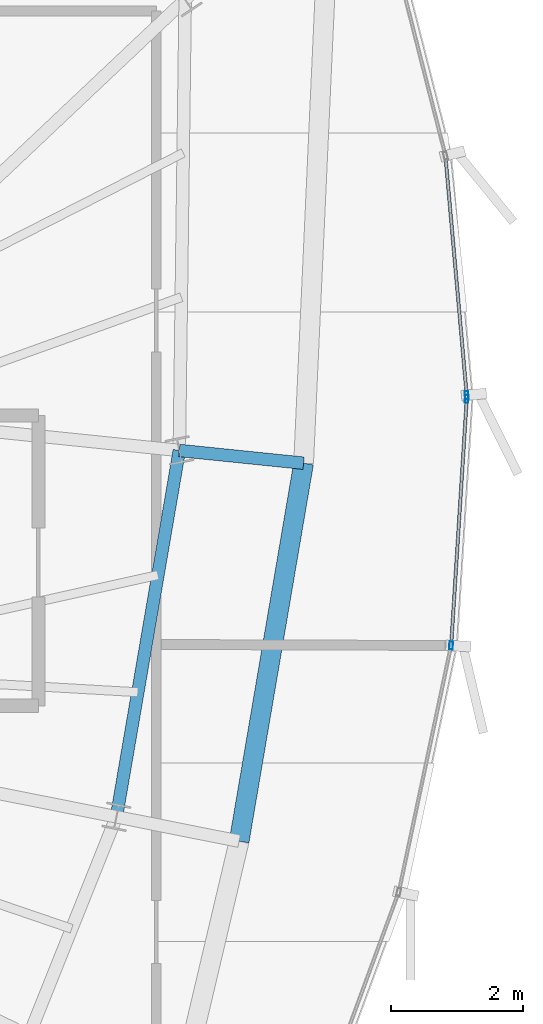
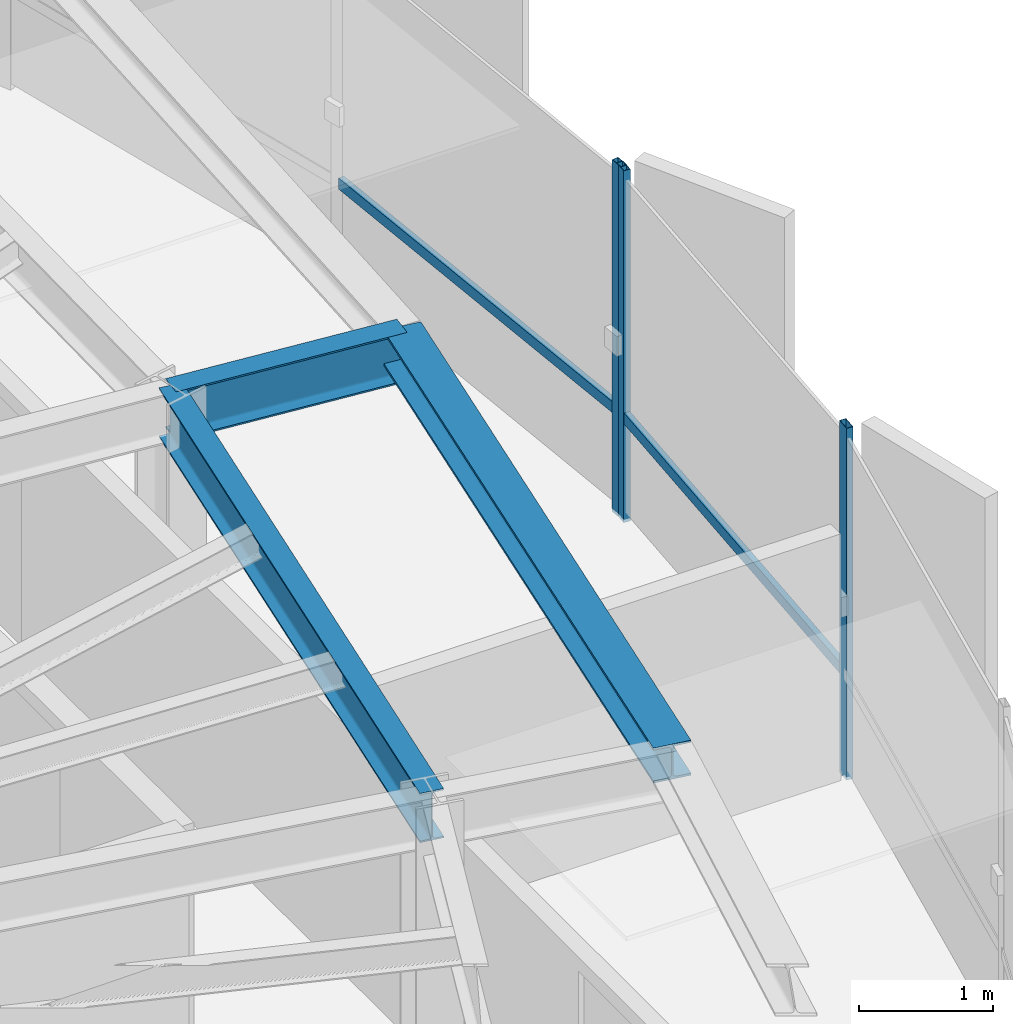
# One storey, part 14 of 30: 5 members, 3 beams, 2 elements without a shape of their own.
"""IFC4 building model written with IfcOpenShell, lengths in metres."""

from ifc_helpers import new_model, si_unit, direction, frame, origin, origin_2d, place, context, subcontext, project, spatial, hollow_rectangle, i_section, extrude, source, transform, mapped, material, layer, layer_set, material_profile, profile_set, type_object, element, aggregate, save


model = new_model("IFC4")

# Units and contexts
model_context = context("Model", 3, precision=1e-05, world=origin(), true_north=direction((0.0, 1.0)))
body_context = subcontext(model_context, "Body", "Model", "MODEL_VIEW")
ifc_project = project(units=[si_unit("LENGTHUNIT", "METRE"), si_unit("AREAUNIT", "SQUARE_METRE"), si_unit("VOLUMEUNIT", "CUBIC_METRE"), si_unit("PLANEANGLEUNIT", "RADIAN"), si_unit("MASSUNIT", "GRAM", prefix="KILO"), si_unit("THERMODYNAMICTEMPERATUREUNIT", "KELVIN")], contexts=[model_context])

# Site, building, storey
site_placement = place(None, origin())
site = spatial("IfcSite", under=ifc_project, at=site_placement, CompositionType="ELEMENT")
building_placement = place(site_placement, origin())
building = spatial("IfcBuilding", under=site, at=building_placement, Name="Kethvar Cultural Tower", CompositionType="ELEMENT")
storey_placement = place(building_placement, frame((0.0, 0.0, 297.39990234375)))
storey = spatial("IfcBuildingStorey", under=building, at=storey_placement, Name="L79", CompositionType="ELEMENT", Elevation=297.39990234375)

# Beams
ifc_material_1 = material(Name="Steel S355J2", Category="steel")
ifc_material_profile_1 = material_profile(ifc_material_1, i_section(OverallWidth=0.18994140625, OverallDepth=0.449951171875, WebThickness=0.009521484375, FlangeThickness=0.0146484375, FilletRadius=0.02099609375, at=origin_2d()), Name="Steel S355J2 — IPE450")
ifc_profile_set_1 = profile_set([ifc_material_profile_1], Name="Steel S355J2 — IPE450")
beam_type_1 = type_object("IfcBeamType", Name="BM-IPE450", PredefinedType="BEAM", material=ifc_profile_set_1)
shared_shape_1 = source(origin(), body_context, "Body", "SweptSolid", [
    extrude(i_section(OverallWidth=0.18994140625, OverallDepth=0.449951171875, WebThickness=0.009521484375, FlangeThickness=0.0146484375, FilletRadius=0.02099609375, at=origin_2d()), origin(), (0.0, 0.0, 1.0), 5.635009765625),
])
beam_1_placement = place(storey_placement, frame((60.28369140625, 25.117919921875, 2.983154296875), z_axis=(0.169188687614, 0.985583678834, 0.0), x_axis=(-0.985583678834, 0.169188687614, 0.0)))
element("IfcBeam", 1, at=beam_1_placement, inside=storey, type_object=beam_type_1, Name="L79 Column Ring Tie Beam CR-16", PredefinedType="BEAM", context=body_context, shape_type="MappedRepresentation", body=[
    mapped(shared_shape_1, transform((0.0, 0.0, 0.0), scale=1.0)),
])
shared_shape_2 = source(origin(), body_context, "Body", "SweptSolid", [
    extrude(i_section(OverallWidth=0.18994140625, OverallDepth=0.449951171875, WebThickness=0.009521484375, FlangeThickness=0.0146484375, FilletRadius=0.02099609375, at=origin_2d()), origin(), (0.0, 0.0, 1.0), 1.89404296875),
])
beam_2_placement = place(storey_placement, frame((61.237060546875, 30.671630859375, 2.983154296875), z_axis=(0.994789150843, -0.101953643213, 0.0), x_axis=(0.101953643213, 0.994789150843, 0.0)))
element("IfcBeam", 2, at=beam_2_placement, inside=storey, type_object=beam_type_1, Name="L79 Perimeter Cantilever Beam RC-01", PredefinedType="BEAM", context=body_context, shape_type="MappedRepresentation", body=[
    mapped(shared_shape_2, transform((0.0, 0.0, 0.0), scale=1.0)),
])
ifc_material_profile_2 = material_profile(ifc_material_1, i_section(OverallWidth=0.300048828125, OverallDepth=0.320068359375, WebThickness=0.011474609375, FlangeThickness=0.0205078125, FilletRadius=0.027099609375, at=origin_2d()), Name="Steel S355J2 — HEB320")
ifc_profile_set_2 = profile_set([ifc_material_profile_2], Name="Steel S355J2 — HEB320")
beam_type_2 = type_object("IfcBeamType", Name="BM-SP320", PredefinedType="SPANDREL", material=ifc_profile_set_2)
shared_shape_3 = source(origin(), body_context, "Body", "SweptSolid", [
    extrude(i_section(OverallWidth=0.300048828125, OverallDepth=0.320068359375, WebThickness=0.011474609375, FlangeThickness=0.0205078125, FilletRadius=0.027099609375, at=origin_2d()), origin(), (0.0, 0.0, 1.0), 5.813232421875),
])
beam_3_placement = place(storey_placement, frame((62.143798828125, 24.748046875, 3.048095703125), z_axis=(0.168157117627, 0.98576020603, 0.0), x_axis=(-0.98576020603, 0.168157117627, 0.0)))
element("IfcBeam", 3, at=beam_3_placement, inside=storey, type_object=beam_type_2, Name="L79 Perimeter Spandrel Beam SP-16", PredefinedType="SPANDREL", context=body_context, shape_type="MappedRepresentation", body=[
    mapped(shared_shape_3, transform((0.0, 0.0, 0.0), scale=1.0)),
])

# Curtain wall, members
ifc_material_2 = material(Name="Aluminium 6063-T6", Category="aluminium")
ifc_layer = layer(ifc_material_2, 0.179931640625, Name="Aluminium 6063-T6", Category="aluminium")
ifc_layer_set = layer_set([ifc_layer], Name="Aluminium 6063-T6 (180 mm)")
curtain_wall_type = type_object("IfcCurtainWallType", Name="CW-SYS-05-Z56", PredefinedType="NOTDEFINED", material=ifc_layer_set)
curtain_wall_1_placement = place(storey_placement, origin())
curtain_wall_1 = element("IfcCurtainWall", 4, at=curtain_wall_1_placement, inside=storey, type_object=curtain_wall_type, Name="L79 Curtain Wall Run 05", PredefinedType="NOTDEFINED")
ifc_material_profile_3 = material_profile(ifc_material_2, hollow_rectangle(XDim=0.054931640625, YDim=0.1201171875, WallThickness=0.00390625, at=origin_2d()), Name="Aluminium 6063-T6 — RHS120x55x4")
ifc_profile_set_3 = profile_set([ifc_material_profile_3], Name="Aluminium 6063-T6 — RHS120x55x4")
member_type_1 = type_object("IfcMemberType", Name="CW-SYS-05-Z56-MUL", PredefinedType="MULLION", material=ifc_profile_set_3)
shared_shape_4 = source(origin(), body_context, "Body", "SweptSolid", [
    extrude(hollow_rectangle(XDim=0.054931640625, YDim=0.1201171875, WallThickness=0.00390625, at=origin_2d()), origin(), (0.0, 0.0, 1.0), 3.210205078125),
])
member_1_placement = place(storey_placement, frame((65.3583984375, 27.71435546875, 0.0), z_axis=(0.0, 0.0, 1.0), x_axis=(-0.998011356017, 0.063034381587, 0.0)))
member_1 = element("IfcMember", 5, at=member_1_placement, type_object=member_type_1, Name="CW-L79-R05 Mullion 6", PredefinedType="MULLION", context=body_context, shape_type="MappedRepresentation", body=[
    mapped(shared_shape_4, transform((0.0, 0.0, 0.0), scale=1.0)),
])
member_2_placement = place(storey_placement, frame((65.594482421875, 31.453369140625, 0.0), z_axis=(0.0, 0.0, 1.0), x_axis=(-0.998011356017, 0.063034381587, 0.0)))
member_2 = element("IfcMember", 6, at=member_2_placement, type_object=member_type_1, Name="CW-L79-R05 Mullion 7", PredefinedType="MULLION", context=body_context, shape_type="MappedRepresentation", body=[
    mapped(shared_shape_4, transform((0.0, 0.0, 0.0), scale=1.0)),
])

# Curtain wall, member
curtain_wall_2_placement = place(storey_placement, origin())
curtain_wall_2 = element("IfcCurtainWall", 7, at=curtain_wall_2_placement, inside=storey, type_object=curtain_wall_type, Name="L79 Curtain Wall Run 06", PredefinedType="NOTDEFINED")
member_3_placement = place(storey_placement, frame((65.59375, 31.509521484375, 0.0), z_axis=(0.0, 0.0, 1.0), x_axis=(-0.996073579969, -0.088529222786, 0.0)))
member_3 = element("IfcMember", 8, at=member_3_placement, type_object=member_type_1, Name="CW-L79-R06 Mullion 1", PredefinedType="MULLION", context=body_context, shape_type="MappedRepresentation", body=[
    mapped(shared_shape_4, transform((0.0, 0.0, 0.0), scale=1.0)),
])

# Member
ifc_material_profile_4 = material_profile(ifc_material_2, hollow_rectangle(XDim=0.050048828125, YDim=0.10009765625, WallThickness=0.00390625, at=origin_2d()), Name="Aluminium 6063-T6 — RHS100x50x4")
ifc_profile_set_4 = profile_set([ifc_material_profile_4], Name="Aluminium 6063-T6 — RHS100x50x4")
member_type_2 = type_object("IfcMemberType", Name="CW-SYS-05-Z56-TRN", PredefinedType="USERDEFINED", material=ifc_profile_set_4)
shared_shape_5 = source(origin(), body_context, "Body", "SweptSolid", [
    extrude(hollow_rectangle(XDim=0.050048828125, YDim=0.10009765625, WallThickness=0.00390625, at=origin_2d()), origin(), (0.0, 0.0, 1.0), 3.703125),
])
member_4_placement = place(storey_placement, frame((65.36083984375, 27.75390625, 0.9501953125), z_axis=(0.063026774715, 0.998011836437, 0.0), x_axis=(-0.998011836437, 0.063026774715, 0.0)))
member_4 = element("IfcMember", 9, at=member_4_placement, type_object=member_type_2, Name="CW-L79-R05 Transom 6", ObjectType="TRANSOM", PredefinedType="USERDEFINED", context=body_context, shape_type="MappedRepresentation", body=[
    mapped(shared_shape_5, transform((0.0, 0.0, 0.0), scale=1.0)),
])

aggregate(curtain_wall_1, [member_1, member_2, member_4])

shared_shape_6 = source(origin(), body_context, "Body", "SweptSolid", [
    extrude(hollow_rectangle(XDim=0.050048828125, YDim=0.10009765625, WallThickness=0.00390625, at=origin_2d()), origin(), (0.0, 0.0, 1.0), 3.616943359375),
])
member_5_placement = place(storey_placement, frame((65.593505859375, 31.513427734375, 0.9501953125), z_axis=(-0.088557648688, 0.996071053118, 0.0), x_axis=(-0.996071053118, -0.088557648688, 0.0)))
member_5 = element("IfcMember", 10, at=member_5_placement, type_object=member_type_2, Name="CW-L79-R06 Transom 1", ObjectType="TRANSOM", PredefinedType="USERDEFINED", context=body_context, shape_type="MappedRepresentation", body=[
    mapped(shared_shape_6, transform((0.0, 0.0, 0.0), scale=1.0)),
])

aggregate(curtain_wall_2, [member_3, member_5])

save(model, "model.ifc")
